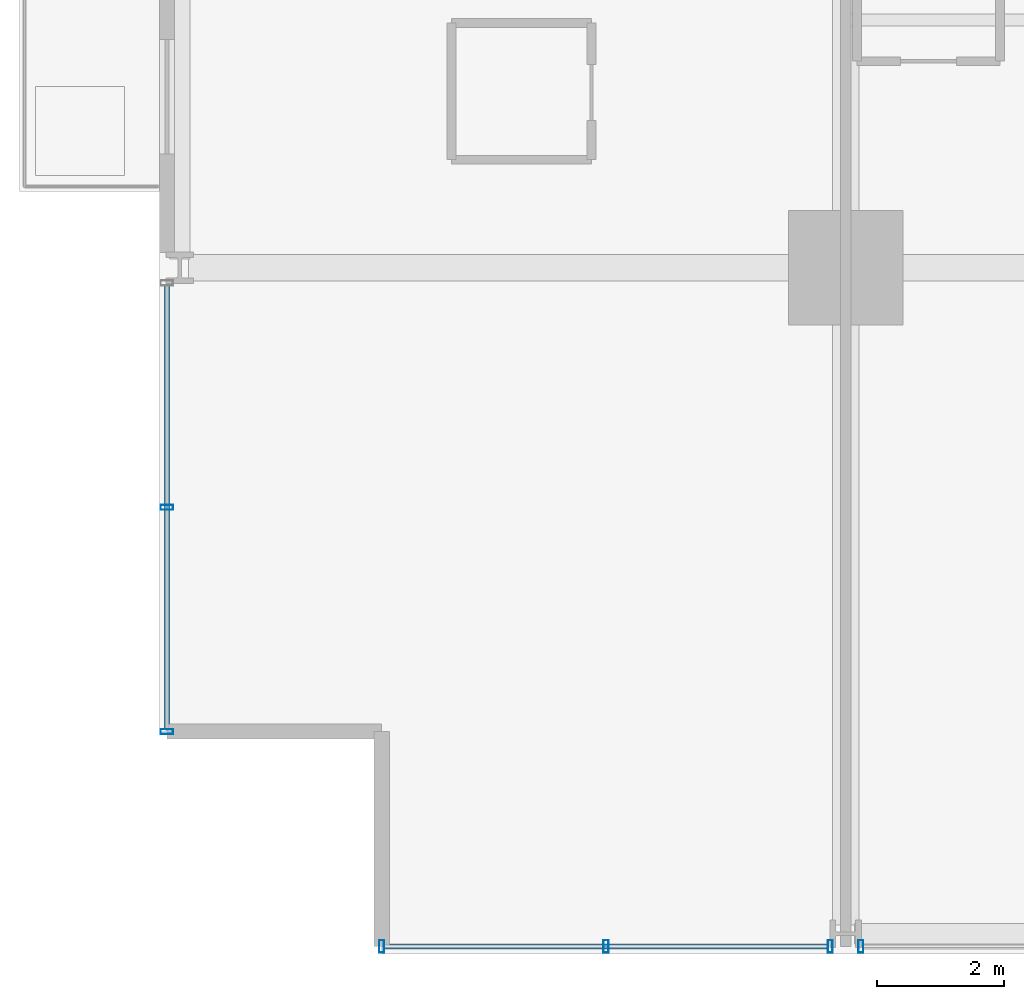
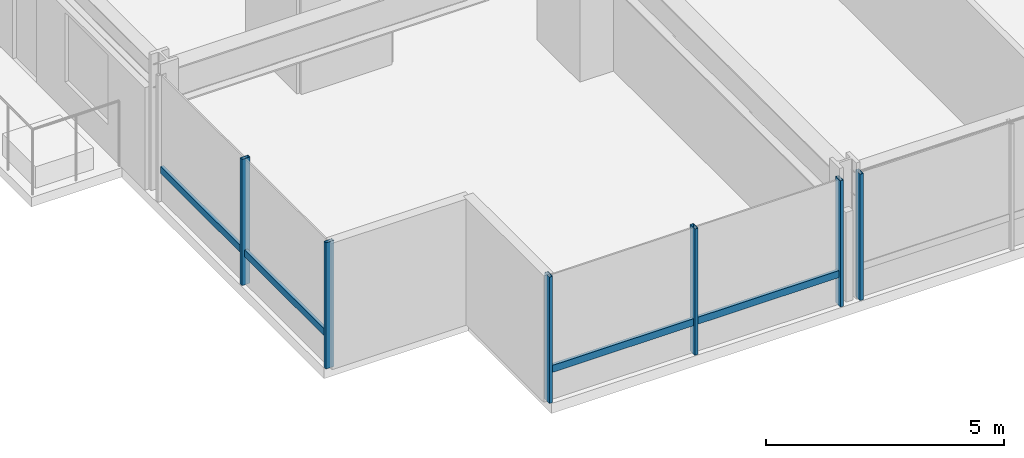
# One storey, part 2 of 39: 8 members, 3 elements without a shape of their own.
"""IFC4 building model written with IfcOpenShell, lengths in metres."""

from ifc_helpers import new_model, si_unit, direction, frame, origin, origin_2d, place, context, subcontext, project, spatial, hollow_rectangle, extrude, material, layer, layer_set, material_profile, profile_set, type_object, element, aggregate, save


model = new_model("IFC4")

# Units and contexts
model_context = context("Model", 3, precision=1e-05, world=origin(), true_north=direction((0.0, 1.0)))
body_context = subcontext(model_context, "Body", "Model", "MODEL_VIEW")
ifc_project = project(units=[si_unit("LENGTHUNIT", "METRE"), si_unit("AREAUNIT", "SQUARE_METRE"), si_unit("VOLUMEUNIT", "CUBIC_METRE"), si_unit("PLANEANGLEUNIT", "RADIAN"), si_unit("MASSUNIT", "GRAM", prefix="KILO")], contexts=[model_context])

# Site, building, storey
site_placement = place(None, origin())
site = spatial("IfcSite", under=ifc_project, at=site_placement, CompositionType="ELEMENT")
building_placement = place(site_placement, origin())
building = spatial("IfcBuilding", under=site, at=building_placement, Name="Drelvath Grand Hotel", CompositionType="ELEMENT")
storey_placement = place(building_placement, frame((0.0, 0.0, 36.699951171875)))
storey = spatial("IfcBuildingStorey", under=building, at=storey_placement, Name="L07", CompositionType="ELEMENT", Elevation=36.699951171875)

# Curtain wall, member
ifc_material = material(Name="Warm Bronze Anodised Aluminium Frame", Category="aluminium")
ifc_layer = layer(ifc_material, 0.199951171875)
ifc_layer_set = layer_set([ifc_layer], Name="Warm Bronze Anodised Aluminium Frame")
curtain_wall_type = type_object("IfcCurtainWallType", Name="Stick Curtain Wall CW-02 Warm Bronze Low-Rise", PredefinedType="NOTDEFINED", material=ifc_layer_set)
curtain_wall_1_placement = place(storey_placement, origin())
curtain_wall_1 = element("IfcCurtainWall", 1, at=curtain_wall_1_placement, inside=storey, type_object=curtain_wall_type, Name="L07 CW-02 Curtain Wall CW02-L07-WS1", PredefinedType="NOTDEFINED")
ifc_material_profile_1 = material_profile(ifc_material, hollow_rectangle(XDim=0.074951171875, YDim=0.179931640625, WallThickness=0.0048828125, at=origin_2d()), Name="HSS180X75X5")
ifc_profile_set_1 = profile_set([ifc_material_profile_1], Name="Warm Bronze Anodised Aluminium Frame")
member_type_1 = type_object("IfcMemberType", Name="Curtain Wall Horizontal Transom CW-02 HSS180X75X5", PredefinedType="USERDEFINED", material=ifc_profile_set_1)
member_1_placement = place(storey_placement, frame((-26.8798828125, 3.5400390625, 0.81005859375), z_axis=(0.0, 1.0, 0.0), x_axis=(-1.0, 0.0, 0.0)))
member_1 = element("IfcMember", 2, at=member_1_placement, type_object=member_type_1, Name="CW02-L07-WS1 Sill Transom", ObjectType="TRANSOM", PredefinedType="USERDEFINED", context=body_context, shape_type="SweptSolid", body=[
    extrude(hollow_rectangle(XDim=0.074951171875, YDim=0.179931640625, WallThickness=0.0048828125, at=origin_2d()), origin(), (0.0, 0.0, 1.0), 6.97900390625),
])

curtain_wall_2_placement = place(storey_placement, origin())
curtain_wall_2 = element("IfcCurtainWall", 3, at=curtain_wall_2_placement, inside=storey, type_object=curtain_wall_type, Name="L07 CW-02 Curtain Wall CW02-L07-SW1", PredefinedType="NOTDEFINED")
member_2_placement = place(storey_placement, frame((-16.48095703125, 0.1201171875, 0.81005859375), z_axis=(-1.0, 0.0, 0.0), x_axis=(0.0, -1.0, 0.0)))
member_2 = element("IfcMember", 4, at=member_2_placement, type_object=member_type_1, Name="CW02-L07-SW1 Sill Transom", ObjectType="TRANSOM", PredefinedType="USERDEFINED", context=body_context, shape_type="SweptSolid", body=[
    extrude(hollow_rectangle(XDim=0.074951171875, YDim=0.179931640625, WallThickness=0.0048828125, at=origin_2d()), origin(), (0.0, 0.0, 1.0), 6.97900390625),
])

# Member
ifc_material_profile_2 = material_profile(ifc_material, hollow_rectangle(XDim=0.080078125, YDim=0.199951171875, WallThickness=0.0048828125, at=origin_2d()), Name="HSS200X80X5")
ifc_profile_set_2 = profile_set([ifc_material_profile_2], Name="Warm Bronze Anodised Aluminium Frame")
member_type_2 = type_object("IfcMemberType", Name="Curtain Wall Vertical Mullion CW-02 HSS200X80X5", PredefinedType="MULLION", material=ifc_profile_set_2)
member_3_placement = place(storey_placement, frame((-26.8798828125, 3.5, 0.0), z_axis=(0.0, 0.0, 1.0), x_axis=(0.0, 1.0, 0.0)))
member_3 = element("IfcMember", 5, at=member_3_placement, type_object=member_type_2, Name="CW02-L07-WS1 Mullion 1", PredefinedType="MULLION", context=body_context, shape_type="SweptSolid", body=[
    extrude(hollow_rectangle(XDim=0.080078125, YDim=0.199951171875, WallThickness=0.0048828125, at=origin_2d()), origin(), (0.0, 0.0, 1.0), 3.239990234375),
])

member_4_placement = place(storey_placement, frame((-26.8798828125, 7.029541015625, 0.0), z_axis=(0.0, 0.0, 1.0), x_axis=(0.0, 1.0, 0.0)))
member_4 = element("IfcMember", 6, at=member_4_placement, type_object=member_type_2, Name="CW02-L07-WS1 Mullion 2", PredefinedType="MULLION", context=body_context, shape_type="SweptSolid", body=[
    extrude(hollow_rectangle(XDim=0.080078125, YDim=0.199951171875, WallThickness=0.0048828125, at=origin_2d()), origin(), (0.0, 0.0, 1.0), 3.239990234375),
])

aggregate(curtain_wall_1, [member_3, member_4, member_1])

member_5_placement = place(storey_placement, frame((-16.44091796875, 0.1201171875, 0.0), z_axis=(0.0, 0.0, 1.0), x_axis=(1.0, 0.0, 0.0)))
member_5 = element("IfcMember", 7, at=member_5_placement, type_object=member_type_2, Name="CW02-L07-SW1 Mullion 1", PredefinedType="MULLION", context=body_context, shape_type="SweptSolid", body=[
    extrude(hollow_rectangle(XDim=0.080078125, YDim=0.199951171875, WallThickness=0.0048828125, at=origin_2d()), origin(), (0.0, 0.0, 1.0), 3.239990234375),
])

member_6_placement = place(storey_placement, frame((-19.970458984375, 0.1201171875, 0.0), z_axis=(0.0, 0.0, 1.0), x_axis=(1.0, 0.0, 0.0)))
member_6 = element("IfcMember", 8, at=member_6_placement, type_object=member_type_2, Name="CW02-L07-SW1 Mullion 2", PredefinedType="MULLION", context=body_context, shape_type="SweptSolid", body=[
    extrude(hollow_rectangle(XDim=0.080078125, YDim=0.199951171875, WallThickness=0.0048828125, at=origin_2d()), origin(), (0.0, 0.0, 1.0), 3.239990234375),
])

member_7_placement = place(storey_placement, frame((-23.5, 0.1201171875, 0.0), z_axis=(0.0, 0.0, 1.0), x_axis=(1.0, 0.0, 0.0)))
member_7 = element("IfcMember", 9, at=member_7_placement, type_object=member_type_2, Name="CW02-L07-SW1 Mullion 3", PredefinedType="MULLION", context=body_context, shape_type="SweptSolid", body=[
    extrude(hollow_rectangle(XDim=0.080078125, YDim=0.199951171875, WallThickness=0.0048828125, at=origin_2d()), origin(), (0.0, 0.0, 1.0), 3.239990234375),
])

aggregate(curtain_wall_2, [member_5, member_6, member_7, member_2])

# Curtain wall, member
curtain_wall_3_placement = place(storey_placement, origin())
curtain_wall_3 = element("IfcCurtainWall", 10, at=curtain_wall_3_placement, inside=storey, type_object=curtain_wall_type, Name="L07 CW-02 Curtain Wall CW02-L07-SW2", PredefinedType="NOTDEFINED")
member_8_placement = place(storey_placement, frame((-15.958984375, 0.1201171875, 0.0), z_axis=(0.0, 0.0, 1.0), x_axis=(1.0, 0.0, 0.0)))
member_8 = element("IfcMember", 11, at=member_8_placement, type_object=member_type_2, Name="CW02-L07-SW2 Mullion 3", PredefinedType="MULLION", context=body_context, shape_type="SweptSolid", body=[
    extrude(hollow_rectangle(XDim=0.080078125, YDim=0.199951171875, WallThickness=0.0048828125, at=origin_2d()), origin(), (0.0, 0.0, 1.0), 3.239990234375),
])
aggregate(curtain_wall_3, [member_8])

save(model, "model.ifc")
